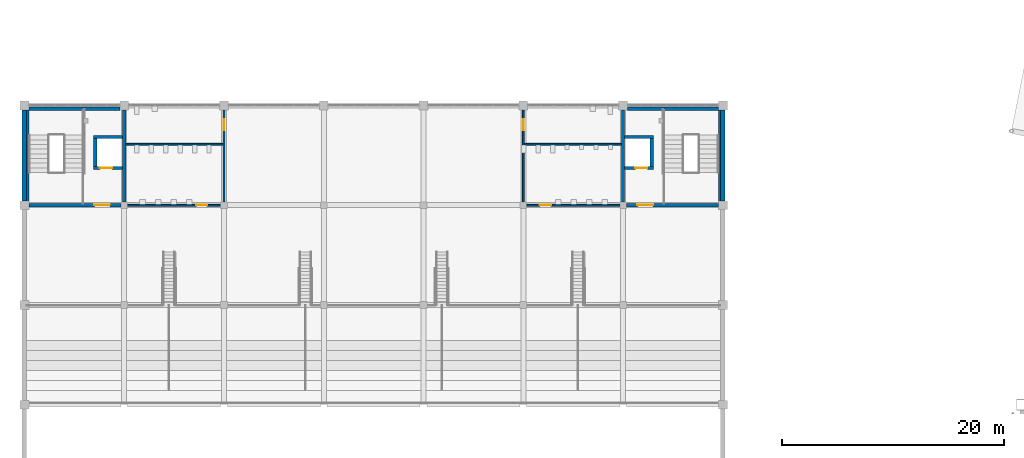
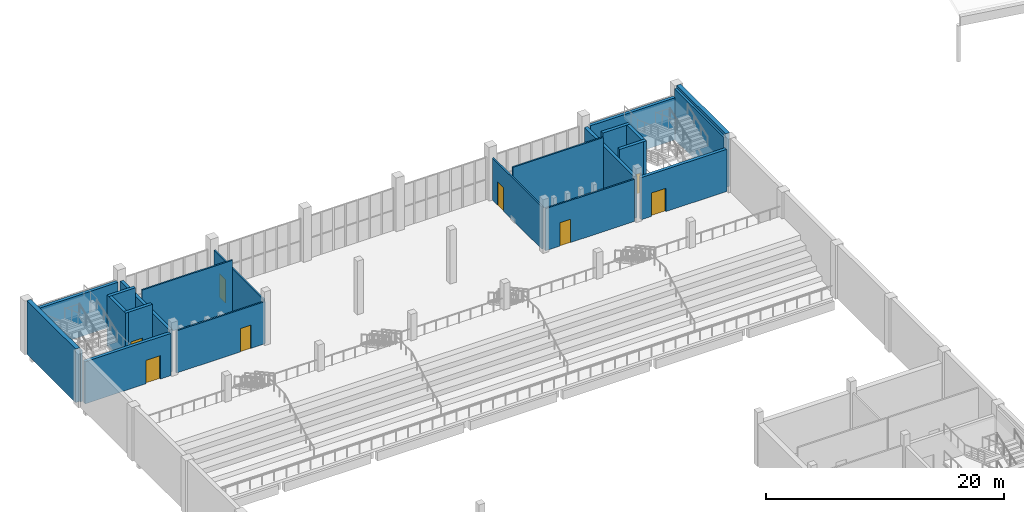
# One storey, part 118 of 185: 22 walls, 8 doors, 8 openings.
"""IFC4 building model written with IfcOpenShell, lengths in metres."""

from ifc_helpers import new_model, si_unit, direction, frame, frame_2d, origin, place, context, subcontext, project, spatial, rectangle, extrude, material, layer, layer_set, type_object, element, fill, save


model = new_model("IFC4")

# Units and contexts
model_context = context("Model", 3, precision=1e-05, world=origin(), true_north=direction((0.0, 1.0)))
body_context = subcontext(model_context, "Body", "Model", "MODEL_VIEW")
ifc_project = project(units=[si_unit("LENGTHUNIT", "METRE"), si_unit("AREAUNIT", "SQUARE_METRE"), si_unit("VOLUMEUNIT", "CUBIC_METRE"), si_unit("PLANEANGLEUNIT", "RADIAN"), si_unit("MASSUNIT", "GRAM", prefix="KILO")], contexts=[model_context])

# Site, building, storey
site_placement = place(None, origin())
site = spatial("IfcSite", under=ifc_project, at=site_placement, CompositionType="ELEMENT")
building_placement = place(site_placement, origin())
building = spatial("IfcBuilding", under=site, at=building_placement, Name="Opaline Strait Convention Centre", CompositionType="ELEMENT")
storey_placement = place(building_placement, frame((0.0, 0.0, 6.0)))
storey = spatial("IfcBuildingStorey", under=building, at=storey_placement, Name="L01", CompositionType="ELEMENT", Elevation=6.0)

# Wall, opening, door
ifc_material_1 = material(Name="Autoclaved aerated blockwork", Category="masonry")
ifc_layer_1 = layer(ifc_material_1, 0.14990234375)
ifc_layer_set_1 = layer_set([ifc_layer_1], Name="Autoclaved aerated blockwork")
wall_type_1 = type_object("IfcWallType", Name="Blockwork partition 150", PredefinedType="PARTITIONING", material=ifc_layer_set_1)
wall_1_placement = place(storey_placement, frame((27.0, 171.300048828125, 0.0), z_axis=(0.0, 0.0, 1.0), x_axis=(0.0, 1.0, 0.0)))
wall_1 = element("IfcWall", 1, at=wall_1_placement, inside=storey, type_object=wall_type_1, Name="PW11 L01 partition WX27N", PredefinedType="PARTITIONING", context=body_context, shape_type="SweptSolid", body=[
    extrude(rectangle(XDim=8.300048828125, YDim=0.14990234375, at=frame_2d((4.14990234375, 0.0))), origin(), (0.0, 0.0, 1.0), 4.320068359375),
])
opening_1_placement = place(wall_1_placement, frame((6.449951171875, 0.0, 0.0)))
opening_1 = element("IfcOpeningElement", 2, at=opening_1_placement, cuts=wall_1, Name="Opening P1-012", PredefinedType="OPENING", context=body_context, shape_type="SweptSolid", body=[
    extrude(rectangle(XDim=1.0, YDim=2.39990234375, at=frame_2d((0.5, 1.199951171875))), frame((0.0, 0.0849609375, 0.0), z_axis=(0.0, -1.0, 0.0), x_axis=(1.0, 0.0, 0.0)), (0.0, 0.0, 1.0), 0.169921875),
])
ifc_material_2 = material(Name="Timber door leaf", Category="wood")
door_type_1 = type_object("IfcDoorType", Name="Door single 1000 x 2400", OperationType="NOTDEFINED", PredefinedType="DOOR", material=ifc_material_2)
door_1_placement = place(opening_1_placement, origin())
door_1 = element("IfcDoor", 3, at=door_1_placement, inside=storey, type_object=door_type_1, Name="Accessible WC door", ObjectType="PD6", OperationType="SINGLE_SWING_RIGHT", OverallHeight=2.39990234375, OverallWidth=1.0, PredefinedType="DOOR", context=body_context, shape_type="SweptSolid", body=[
    extrude(rectangle(XDim=1.0, YDim=2.39990234375, at=frame_2d((0.5, 1.199951171875))), frame((0.0, 0.02490234375, 0.0), z_axis=(0.0, -1.0, 0.0), x_axis=(1.0, 0.0, 0.0)), (0.0, 0.0, 1.0), 0.050048828125),
])
fill(opening_1, door_1)

wall_2_placement = place(storey_placement, frame((18.300048828125, 171.0, 0.0), z_axis=(0.0, 0.0, 1.0), x_axis=(1.0, 0.0, 0.0)))
wall_2 = element("IfcWall", 4, at=wall_2_placement, inside=storey, type_object=wall_type_1, Name="PW11 L01 partition WY171N", PredefinedType="PARTITIONING", context=body_context, shape_type="SweptSolid", body=[
    extrude(rectangle(XDim=8.625, YDim=0.14990234375, at=frame_2d((4.3125, 0.0))), origin(), (0.0, 0.0, 1.0), 4.320068359375),
])
opening_2_placement = place(wall_2_placement, frame((6.199951171875, 0.0, 0.0)))
opening_2 = element("IfcOpeningElement", 5, at=opening_2_placement, cuts=wall_2, Name="Opening P1-011", PredefinedType="OPENING", context=body_context, shape_type="SweptSolid", body=[
    extrude(rectangle(XDim=1.0, YDim=2.39990234375, at=frame_2d((0.5, 1.199951171875))), frame((0.0, 0.0849609375, 0.0), z_axis=(0.0, -1.0, 0.0), x_axis=(1.0, 0.0, 0.0)), (0.0, 0.0, 1.0), 0.169921875),
])
door_2_placement = place(opening_2_placement, origin())
door_2 = element("IfcDoor", 6, at=door_2_placement, inside=storey, type_object=door_type_1, Name="Women's WC door", ObjectType="PD6", OperationType="SINGLE_SWING_RIGHT", OverallHeight=2.39990234375, OverallWidth=1.0, PredefinedType="DOOR", context=body_context, shape_type="SweptSolid", body=[
    extrude(rectangle(XDim=1.0, YDim=2.39990234375, at=frame_2d((0.5, 1.199951171875))), frame((0.0, 0.02490234375, 0.0), z_axis=(0.0, -1.0, 0.0), x_axis=(1.0, 0.0, 0.0)), (0.0, 0.0, 1.0), 0.050048828125),
])
fill(opening_2, door_2)

# Wall
wall_3_placement = place(storey_placement, frame((18.14990234375, 176.5, 0.0), z_axis=(0.0, 0.0, 1.0), x_axis=(1.0, 0.0, 0.0)))
element("IfcWall", 7, at=wall_3_placement, inside=storey, type_object=wall_type_1, Name="PW11 L01 partition WY1765N", PredefinedType="PARTITIONING", context=body_context, shape_type="SweptSolid", body=[
    extrude(rectangle(XDim=8.775146484375, YDim=0.14990234375, at=frame_2d((4.3876953125, 0.0))), origin(), (0.0, 0.0, 1.0), 5.219970703125),
])

# Wall, opening, door
wall_4_placement = place(storey_placement, frame((54.0, 171.300048828125, 0.0), z_axis=(0.0, 0.0, 1.0), x_axis=(0.0, 1.0, 0.0)))
wall_4 = element("IfcWall", 8, at=wall_4_placement, inside=storey, type_object=wall_type_1, Name="PW11 L01 partition EX27N", PredefinedType="PARTITIONING", context=body_context, shape_type="SweptSolid", body=[
    extrude(rectangle(XDim=8.300048828125, YDim=0.14990234375, at=frame_2d((4.14990234375, 0.0))), origin(), (0.0, 0.0, 1.0), 4.320068359375),
])
opening_3_placement = place(wall_4_placement, frame((6.449951171875, 0.0, 0.0)))
opening_3 = element("IfcOpeningElement", 9, at=opening_3_placement, cuts=wall_4, Name="Opening P1-014", PredefinedType="OPENING", context=body_context, shape_type="SweptSolid", body=[
    extrude(rectangle(XDim=1.0, YDim=2.39990234375, at=frame_2d((0.5, 1.199951171875))), frame((0.0, 0.0849609375, 0.0), z_axis=(0.0, -1.0, 0.0), x_axis=(1.0, 0.0, 0.0)), (0.0, 0.0, 1.0), 0.169921875),
])
door_3_placement = place(opening_3_placement, origin())
door_3 = element("IfcDoor", 10, at=door_3_placement, inside=storey, type_object=door_type_1, Name="Accessible WC door", ObjectType="PD6", OperationType="SINGLE_SWING_RIGHT", OverallHeight=2.39990234375, OverallWidth=1.0, PredefinedType="DOOR", context=body_context, shape_type="SweptSolid", body=[
    extrude(rectangle(XDim=1.0, YDim=2.39990234375, at=frame_2d((0.5, 1.199951171875))), frame((0.0, 0.02490234375, 0.0), z_axis=(0.0, -1.0, 0.0), x_axis=(1.0, 0.0, 0.0)), (0.0, 0.0, 1.0), 0.050048828125),
])
fill(opening_3, door_3)

wall_5_placement = place(storey_placement, frame((62.699951171875, 171.0, 0.0), z_axis=(0.0, 0.0, 1.0), x_axis=(-1.0, 0.0, 0.0)))
wall_5 = element("IfcWall", 11, at=wall_5_placement, inside=storey, type_object=wall_type_1, Name="PW11 L01 partition EY171N", PredefinedType="PARTITIONING", context=body_context, shape_type="SweptSolid", body=[
    extrude(rectangle(XDim=8.625, YDim=0.14990234375, at=frame_2d((4.3125, 0.0))), origin(), (0.0, 0.0, 1.0), 4.320068359375),
])
opening_4_placement = place(wall_5_placement, frame((6.199951171875, 0.0, 0.0)))
opening_4 = element("IfcOpeningElement", 12, at=opening_4_placement, cuts=wall_5, Name="Opening P1-013", PredefinedType="OPENING", context=body_context, shape_type="SweptSolid", body=[
    extrude(rectangle(XDim=1.0, YDim=2.39990234375, at=frame_2d((0.5, 1.199951171875))), frame((0.0, 0.0849609375, 0.0), z_axis=(0.0, -1.0, 0.0), x_axis=(1.0, 0.0, 0.0)), (0.0, 0.0, 1.0), 0.169921875),
])
door_4_placement = place(opening_4_placement, origin())
door_4 = element("IfcDoor", 13, at=door_4_placement, inside=storey, type_object=door_type_1, Name="Men's WC door", ObjectType="PD6", OperationType="SINGLE_SWING_RIGHT", OverallHeight=2.39990234375, OverallWidth=1.0, PredefinedType="DOOR", context=body_context, shape_type="SweptSolid", body=[
    extrude(rectangle(XDim=1.0, YDim=2.39990234375, at=frame_2d((0.5, 1.199951171875))), frame((0.0, 0.02490234375, 0.0), z_axis=(0.0, -1.0, 0.0), x_axis=(1.0, 0.0, 0.0)), (0.0, 0.0, 1.0), 0.050048828125),
])
fill(opening_4, door_4)

# Walls
wall_6_placement = place(storey_placement, frame((62.85009765625, 176.5, 0.0), z_axis=(0.0, 0.0, 1.0), x_axis=(-1.0, 0.0, 0.0)))
element("IfcWall", 14, at=wall_6_placement, inside=storey, type_object=wall_type_1, Name="PW11 L01 partition EY1765N", PredefinedType="PARTITIONING", context=body_context, shape_type="SweptSolid", body=[
    extrude(rectangle(XDim=8.775146484375, YDim=0.14990234375, at=frame_2d((4.3876953125, 0.0))), origin(), (0.0, 0.0, 1.0), 5.219970703125),
])
ifc_material_3 = material(Name="Concrete C40", Category="concrete")
ifc_layer_2 = layer(ifc_material_3, 0.320068359375)
ifc_material_4 = material(Name="Mineral wool insulation")
ifc_layer_3 = layer(ifc_material_4, 0.050048828125)
ifc_material_5 = material(Name="Gypsum board lining")
ifc_layer_4 = layer(ifc_material_5, 0.030029296875)
ifc_layer_set_2 = layer_set([ifc_layer_2, ifc_layer_3, ifc_layer_4], Name="Concrete C40, Mineral wool insulation, Gypsum board lining")
wall_type_2 = type_object("IfcWallType", Name="RC external wall 400 C40", PredefinedType="SOLIDWALL", material=ifc_layer_set_2)
for number, where, z_axis, x_axis, name in (
    (15, (9.0, 171.39990234375, 0.0), (0.0, 0.0, 1.0), (0.0, 1.0, 0.0), "PW1 west wall L01 2/V-2/W"),
    (16, (72.0, 171.39990234375, 0.0), (0.0, 0.0, 1.0), (0.0, 1.0, 0.0), "PW1 east wall L01 9/V-9/W"),
):
    element("IfcWall", number, at=place(storey_placement, frame(where, z_axis=z_axis, x_axis=x_axis)), inside=storey, type_object=wall_type_2, Name=name, PredefinedType="SOLIDWALL", context=body_context, shape_type="SweptSolid", body=[
        extrude(rectangle(XDim=8.2001953125, YDim=0.39990234375, at=frame_2d((4.10009765625, 0.0))), origin(), (0.0, 0.0, 1.0), 5.5),
    ])
ifc_layer_5 = layer(ifc_material_3, 0.300048828125)
ifc_layer_set_3 = layer_set([ifc_layer_5], Name="Concrete C40")
wall_type_3 = type_object("IfcWallType", Name="RC stair core wall 300 C40", PredefinedType="SOLIDWALL", material=ifc_layer_set_3)
wall_7_placement = place(storey_placement, frame((18.0, 171.300048828125, 0.0), z_axis=(0.0, 0.0, 1.0), x_axis=(0.0, 1.0, 0.0)))
element("IfcWall", 17, at=wall_7_placement, inside=storey, type_object=wall_type_3, Name="PW13 L01 NW core side wall", PredefinedType="SOLIDWALL", context=body_context, shape_type="SweptSolid", body=[
    extrude(rectangle(XDim=8.300048828125, YDim=0.300048828125, at=frame_2d((4.14990234375, 0.0))), origin(), (0.0, 0.0, 1.0), 4.320068359375),
])

# Wall, opening, door
wall_8_placement = place(storey_placement, frame((9.39990234375, 171.0, 0.0), z_axis=(0.0, 0.0, 1.0), x_axis=(1.0, 0.0, 0.0)))
wall_8 = element("IfcWall", 18, at=wall_8_placement, inside=storey, type_object=wall_type_3, Name="PW13 L01 NW core cross wall", PredefinedType="SOLIDWALL", context=body_context, shape_type="SweptSolid", body=[
    extrude(rectangle(XDim=8.300048828125, YDim=0.300048828125, at=frame_2d((4.14990234375, 0.0))), origin(), (0.0, 0.0, 1.0), 4.320068359375),
])
opening_5_placement = place(wall_8_placement, frame((5.89990234375, 0.0, 0.0)))
opening_5 = element("IfcOpeningElement", 19, at=opening_5_placement, cuts=wall_8, Name="Opening P1-003", PredefinedType="OPENING", context=body_context, shape_type="SweptSolid", body=[
    extrude(rectangle(XDim=1.39990234375, YDim=2.39990234375, at=frame_2d((0.699951171875, 1.199951171875))), frame((0.0, 0.159912109375, 0.0), z_axis=(0.0, -1.0, 0.0), x_axis=(1.0, 0.0, 0.0)), (0.0, 0.0, 1.0), 0.320068359375),
])
ifc_material_6 = material(Name="Steel Q235B", Category="steel")
door_type_2 = type_object("IfcDoorType", Name="Fire door FD60 1400 x 2400", OperationType="DOUBLE_DOOR_SINGLE_SWING", PredefinedType="DOOR", material=ifc_material_6)
door_5_placement = place(opening_5_placement, origin())
door_5 = element("IfcDoor", 20, at=door_5_placement, inside=storey, type_object=door_type_2, Name="NW stair core door", ObjectType="PD8", OperationType="SINGLE_SWING_LEFT", OverallHeight=2.39990234375, OverallWidth=1.39990234375, PredefinedType="DOOR", context=body_context, shape_type="SweptSolid", body=[
    extrude(rectangle(XDim=1.39990234375, YDim=2.39990234375, at=frame_2d((0.699951171875, 1.199951171875))), frame((0.0, 0.02490234375, 0.0), z_axis=(0.0, -1.0, 0.0), x_axis=(1.0, 0.0, 0.0)), (0.0, 0.0, 1.0), 0.050048828125),
])
fill(opening_5, door_5)

# Walls
wall_9_placement = place(storey_placement, frame((9.39990234375, 179.699951171875, 0.0), z_axis=(0.0, 0.0, 1.0), x_axis=(1.0, 0.0, 0.0)))
element("IfcWall", 21, at=wall_9_placement, inside=storey, type_object=wall_type_3, Name="PW13 L01 NW core north wall", PredefinedType="SOLIDWALL", context=body_context, shape_type="SweptSolid", body=[
    extrude(rectangle(XDim=8.2001953125, YDim=0.300048828125, at=frame_2d((4.10009765625, 0.0))), origin(), (0.0, 0.0, 1.0), 4.320068359375),
])
wall_10_placement = place(storey_placement, frame((63.0, 171.300048828125, 0.0), z_axis=(0.0, 0.0, 1.0), x_axis=(0.0, 1.0, 0.0)))
element("IfcWall", 22, at=wall_10_placement, inside=storey, type_object=wall_type_3, Name="PW13 L01 NE core side wall", PredefinedType="SOLIDWALL", context=body_context, shape_type="SweptSolid", body=[
    extrude(rectangle(XDim=8.300048828125, YDim=0.300048828125, at=frame_2d((4.14990234375, 0.0))), origin(), (0.0, 0.0, 1.0), 4.320068359375),
])

# Wall, opening, door
wall_11_placement = place(storey_placement, frame((63.300048828125, 171.0, 0.0), z_axis=(0.0, 0.0, 1.0), x_axis=(1.0, 0.0, 0.0)))
wall_11 = element("IfcWall", 23, at=wall_11_placement, inside=storey, type_object=wall_type_3, Name="PW13 L01 NE core cross wall", PredefinedType="SOLIDWALL", context=body_context, shape_type="SweptSolid", body=[
    extrude(rectangle(XDim=8.300048828125, YDim=0.300048828125, at=frame_2d((4.14990234375, 0.0))), origin(), (0.0, 0.0, 1.0), 4.320068359375),
])
opening_6_placement = place(wall_11_placement, frame((1.0, 0.0, 0.0)))
opening_6 = element("IfcOpeningElement", 24, at=opening_6_placement, cuts=wall_11, Name="Opening P1-004", PredefinedType="OPENING", context=body_context, shape_type="SweptSolid", body=[
    extrude(rectangle(XDim=1.39990234375, YDim=2.39990234375, at=frame_2d((0.699951171875, 1.199951171875))), frame((0.0, 0.159912109375, 0.0), z_axis=(0.0, -1.0, 0.0), x_axis=(1.0, 0.0, 0.0)), (0.0, 0.0, 1.0), 0.320068359375),
])
door_6_placement = place(opening_6_placement, origin())
door_6 = element("IfcDoor", 25, at=door_6_placement, inside=storey, type_object=door_type_2, Name="NE stair core door", ObjectType="PD8", OperationType="SINGLE_SWING_LEFT", OverallHeight=2.39990234375, OverallWidth=1.39990234375, PredefinedType="DOOR", context=body_context, shape_type="SweptSolid", body=[
    extrude(rectangle(XDim=1.39990234375, YDim=2.39990234375, at=frame_2d((0.699951171875, 1.199951171875))), frame((0.0, 0.02490234375, 0.0), z_axis=(0.0, -1.0, 0.0), x_axis=(1.0, 0.0, 0.0)), (0.0, 0.0, 1.0), 0.050048828125),
])
fill(opening_6, door_6)

# Walls
wall_12_placement = place(storey_placement, frame((63.39990234375, 179.699951171875, 0.0), z_axis=(0.0, 0.0, 1.0), x_axis=(1.0, 0.0, 0.0)))
element("IfcWall", 26, at=wall_12_placement, inside=storey, type_object=wall_type_3, Name="PW13 L01 NE core north wall", PredefinedType="SOLIDWALL", context=body_context, shape_type="SweptSolid", body=[
    extrude(rectangle(XDim=8.2001953125, YDim=0.300048828125, at=frame_2d((4.10009765625, 0.0))), origin(), (0.0, 0.0, 1.0), 4.320068359375),
])
wall_13_placement = place(storey_placement, frame((15.39990234375, 174.199951171875, 0.0), z_axis=(0.0, 0.0, 1.0), x_axis=(0.0, 1.0, 0.0)))
element("IfcWall", 27, at=wall_13_placement, inside=storey, type_object=wall_type_3, Name="PW13 L01 NW lift shaft wall", PredefinedType="SOLIDWALL", context=body_context, shape_type="SweptSolid", body=[
    extrude(rectangle(XDim=3.10009765625, YDim=0.300048828125, at=frame_2d((1.550048828125, 0.0))), origin(), (0.0, 0.0, 1.0), 5.219970703125),
])

# Wall, opening, door
wall_14_placement = place(storey_placement, frame((15.25, 174.35009765625, 0.0), z_axis=(0.0, 0.0, 1.0), x_axis=(1.0, 0.0, 0.0)))
wall_14 = element("IfcWall", 28, at=wall_14_placement, inside=storey, type_object=wall_type_3, Name="PW13 L01 NW lift lobby wall", PredefinedType="SOLIDWALL", context=body_context, shape_type="SweptSolid", body=[
    extrude(rectangle(XDim=2.60009765625, YDim=0.300048828125, at=frame_2d((1.300048828125, 0.0))), origin(), (0.0, 0.0, 1.0), 5.219970703125),
])
opening_7_placement = place(wall_14_placement, frame((0.550048828125, 0.0, 0.0)))
opening_7 = element("IfcOpeningElement", 29, at=opening_7_placement, cuts=wall_14, Name="Opening P1-015", PredefinedType="OPENING", context=body_context, shape_type="SweptSolid", body=[
    extrude(rectangle(XDim=1.10009765625, YDim=2.10009765625, at=frame_2d((0.550048828125, 1.050048828125))), frame((0.0, 0.159912109375, 0.0), z_axis=(0.0, -1.0, 0.0), x_axis=(1.0, 0.0, 0.0)), (0.0, 0.0, 1.0), 0.320068359375),
])
ifc_material_7 = material(Name="Stainless steel 304", Category="steel")
door_type_3 = type_object("IfcDoorType", Name="Lift landing door 1100 x 2100", OperationType="SLIDING_TO_LEFT", PredefinedType="DOOR", material=ifc_material_7)
door_7_placement = place(opening_7_placement, origin())
door_7 = element("IfcDoor", 30, at=door_7_placement, inside=storey, type_object=door_type_3, Name="Lift landing door NW L01", ObjectType="PD10", OperationType="SLIDING_TO_LEFT", OverallHeight=2.10009765625, OverallWidth=1.10009765625, PredefinedType="DOOR", context=body_context, shape_type="SweptSolid", body=[
    extrude(rectangle(XDim=1.10009765625, YDim=2.10009765625, at=frame_2d((0.550048828125, 1.050048828125))), frame((0.0, 0.02490234375, 0.0), z_axis=(0.0, -1.0, 0.0), x_axis=(1.0, 0.0, 0.0)), (0.0, 0.0, 1.0), 0.050048828125),
])
fill(opening_7, door_7)

# Walls
wall_15_placement = place(storey_placement, frame((15.25, 177.14990234375, 0.0), z_axis=(0.0, 0.0, 1.0), x_axis=(1.0, 0.0, 0.0)))
element("IfcWall", 31, at=wall_15_placement, inside=storey, type_object=wall_type_3, Name="PW13 L01 NW lift back wall", PredefinedType="SOLIDWALL", context=body_context, shape_type="SweptSolid", body=[
    extrude(rectangle(XDim=2.60009765625, YDim=0.300048828125, at=frame_2d((1.300048828125, 0.0))), origin(), (0.0, 0.0, 1.0), 5.219970703125),
])
wall_16_placement = place(storey_placement, frame((65.60009765625, 174.199951171875, 0.0), z_axis=(0.0, 0.0, 1.0), x_axis=(0.0, 1.0, 0.0)))
element("IfcWall", 32, at=wall_16_placement, inside=storey, type_object=wall_type_3, Name="PW13 L01 NE lift shaft wall", PredefinedType="SOLIDWALL", context=body_context, shape_type="SweptSolid", body=[
    extrude(rectangle(XDim=3.10009765625, YDim=0.300048828125, at=frame_2d((1.550048828125, 0.0))), origin(), (0.0, 0.0, 1.0), 5.219970703125),
])

# Wall, opening, door
wall_17_placement = place(storey_placement, frame((63.14990234375, 174.35009765625, 0.0), z_axis=(0.0, 0.0, 1.0), x_axis=(1.0, 0.0, 0.0)))
wall_17 = element("IfcWall", 33, at=wall_17_placement, inside=storey, type_object=wall_type_3, Name="PW13 L01 NE lift lobby wall", PredefinedType="SOLIDWALL", context=body_context, shape_type="SweptSolid", body=[
    extrude(rectangle(XDim=2.60009765625, YDim=0.300048828125, at=frame_2d((1.300048828125, 0.0))), origin(), (0.0, 0.0, 1.0), 5.219970703125),
])
opening_8_placement = place(wall_17_placement, frame((0.949951171875, 0.0, 0.0)))
opening_8 = element("IfcOpeningElement", 34, at=opening_8_placement, cuts=wall_17, Name="Opening P1-016", PredefinedType="OPENING", context=body_context, shape_type="SweptSolid", body=[
    extrude(rectangle(XDim=1.10009765625, YDim=2.10009765625, at=frame_2d((0.550048828125, 1.050048828125))), frame((0.0, 0.159912109375, 0.0), z_axis=(0.0, -1.0, 0.0), x_axis=(1.0, 0.0, 0.0)), (0.0, 0.0, 1.0), 0.320068359375),
])
door_8_placement = place(opening_8_placement, origin())
door_8 = element("IfcDoor", 35, at=door_8_placement, inside=storey, type_object=door_type_3, Name="Lift landing door NE L01", ObjectType="PD10", OperationType="SLIDING_TO_LEFT", OverallHeight=2.10009765625, OverallWidth=1.10009765625, PredefinedType="DOOR", context=body_context, shape_type="SweptSolid", body=[
    extrude(rectangle(XDim=1.10009765625, YDim=2.10009765625, at=frame_2d((0.550048828125, 1.050048828125))), frame((0.0, 0.02490234375, 0.0), z_axis=(0.0, -1.0, 0.0), x_axis=(1.0, 0.0, 0.0)), (0.0, 0.0, 1.0), 0.050048828125),
])
fill(opening_8, door_8)

# Walls
wall_18_placement = place(storey_placement, frame((63.14990234375, 177.14990234375, 0.0), z_axis=(0.0, 0.0, 1.0), x_axis=(1.0, 0.0, 0.0)))
element("IfcWall", 36, at=wall_18_placement, inside=storey, type_object=wall_type_3, Name="PW13 L01 NE lift back wall", PredefinedType="SOLIDWALL", context=body_context, shape_type="SweptSolid", body=[
    extrude(rectangle(XDim=2.60009765625, YDim=0.300048828125, at=frame_2d((1.300048828125, 0.0))), origin(), (0.0, 0.0, 1.0), 5.219970703125),
])
ifc_layer_6 = layer(ifc_material_3, 0.199951171875)
ifc_layer_set_4 = layer_set([ifc_layer_6], Name="Concrete C40")
wall_type_4 = type_object("IfcWallType", Name="RC stair lining wall 200 C40", PredefinedType="SOLIDWALL", material=ifc_layer_set_4)
for number, where, z_axis, x_axis, name in (
    (37, (9.300048828125, 171.300048828125, 0.0), (0.0, 0.0, 1.0), (0.0, 1.0, 0.0), "PW14 L01 NW stair lining wall"),
    (38, (71.699951171875, 171.300048828125, 0.0), (0.0, 0.0, 1.0), (0.0, 1.0, 0.0), "PW14 L01 NE stair lining wall"),
):
    element("IfcWall", number, at=place(storey_placement, frame(where, z_axis=z_axis, x_axis=x_axis)), inside=storey, type_object=wall_type_4, Name=name, PredefinedType="SOLIDWALL", context=body_context, shape_type="SweptSolid", body=[
        extrude(rectangle(XDim=8.300048828125, YDim=0.199951171875, at=frame_2d((4.14990234375, 0.0))), origin(), (0.0, 0.0, 1.0), 5.219970703125),
    ])

save(model, "model.ifc")
